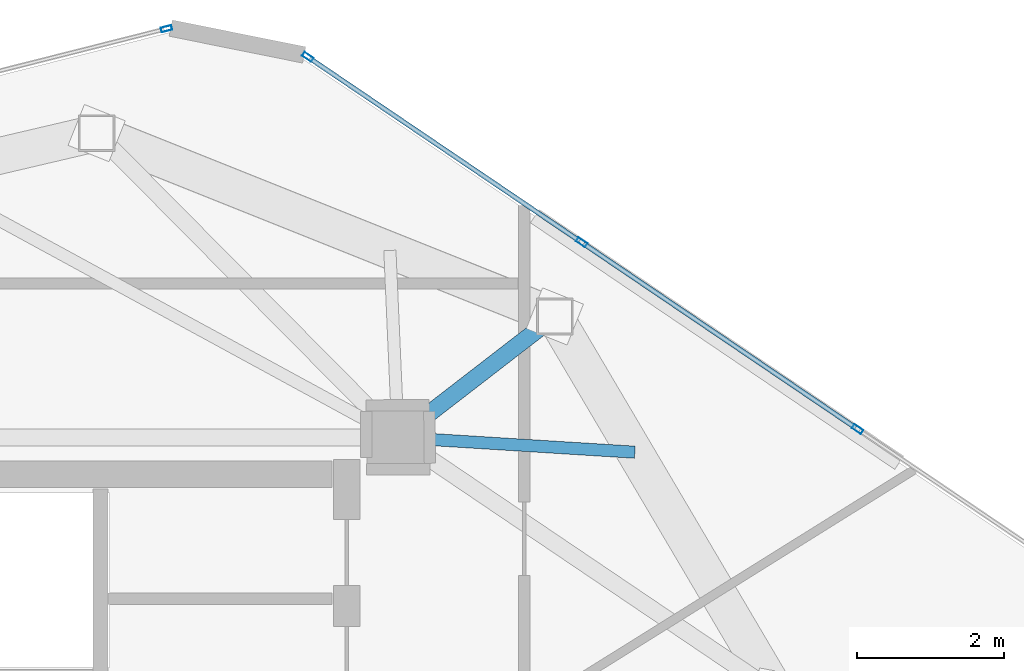
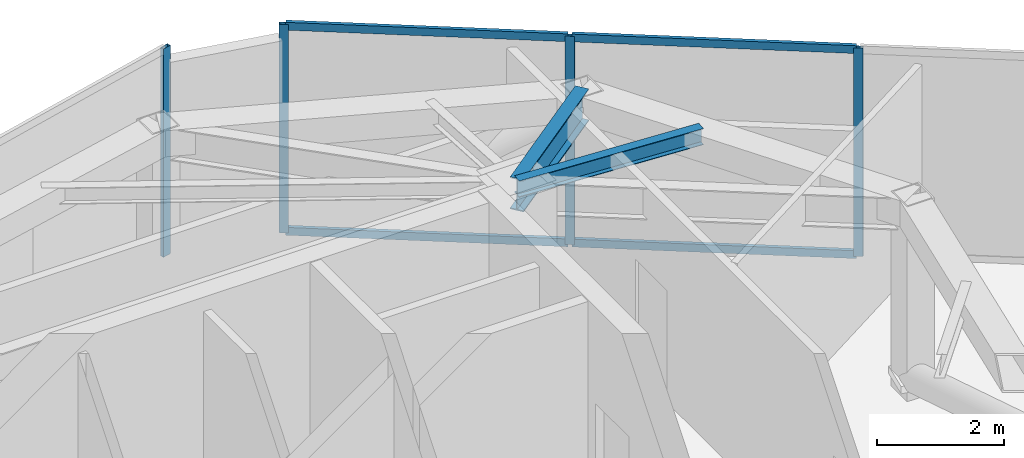
# One storey, part 15 of 21: 8 members, 2 beams, 2 elements without a shape of their own.
"""IFC4 building model written with IfcOpenShell, lengths in metres."""

from ifc_helpers import new_model, si_unit, direction, frame, origin, origin_2d, place, context, subcontext, project, spatial, hollow_rectangle, i_section, extrude, source, transform, mapped, material, layer, layer_set, material_profile, profile_set, type_object, type_shapes, element, aggregate, save


model = new_model("IFC4")

# Units and contexts
model_context = context("Model", 3, precision=1e-05, world=origin(), true_north=direction((0.0, 1.0)))
body_context = subcontext(model_context, "Body", "Model", "MODEL_VIEW")
ifc_project = project(units=[si_unit("LENGTHUNIT", "METRE"), si_unit("AREAUNIT", "SQUARE_METRE"), si_unit("VOLUMEUNIT", "CUBIC_METRE"), si_unit("PLANEANGLEUNIT", "RADIAN"), si_unit("MASSUNIT", "GRAM", prefix="KILO")], contexts=[model_context])

# Site, building, storey
site_placement = place(None, origin())
site = spatial("IfcSite", under=ifc_project, at=site_placement, CompositionType="ELEMENT")
building_placement = place(site_placement, origin())
building = spatial("IfcBuilding", under=site, at=building_placement, Name="Talar Marvaseh", CompositionType="ELEMENT")
storey_placement = place(building_placement, frame((0.0, 0.0, 300.0)))
storey = spatial("IfcBuildingStorey", under=building, at=storey_placement, Name="L80", CompositionType="ELEMENT", Elevation=300.0)

# Beams
ifc_material_1 = material(Name="Steel S355", Category="steel")
ifc_material_profile_1 = material_profile(ifc_material_1, i_section(OverallWidth=0.166015625, OverallDepth=0.31298828125, WebThickness=0.006591796875, FlangeThickness=0.01123046875, at=origin_2d()), Name="W310x45")
ifc_profile_set_1 = profile_set([ifc_material_profile_1], Name="Steel S355")
beam_type_1 = type_object("IfcBeamType", Name="Zone 3 Secondary Floor Joist W310x45", PredefinedType="JOIST", material=ifc_profile_set_1)
beam_1_placement = place(storey_placement, frame((36.52978515625, 36.69873046875, 3.58349609375), z_axis=(-0.998065766367, 0.062166920515, 0.0), x_axis=(-0.062166920515, -0.998065766367, 0.0)))
element("IfcBeam", 1, at=beam_1_placement, inside=storey, type_object=beam_type_1, Name="L80 Zone 3 Secondary Floor Joist W310x45", PredefinedType="JOIST", context=body_context, shape_type="SweptSolid", body=[
    extrude(i_section(OverallWidth=0.166015625, OverallDepth=0.31298828125, WebThickness=0.006591796875, FlangeThickness=0.01123046875, at=origin_2d()), origin(), (0.0, 0.0, 1.0), 3.236083984375),
])
ifc_material_profile_2 = material_profile(ifc_material_1, i_section(OverallWidth=0.22998046875, OverallDepth=0.616943359375, WebThickness=0.01318359375, FlangeThickness=0.022216796875, at=origin_2d()), Name="W610x140")
ifc_profile_set_2 = profile_set([ifc_material_profile_2], Name="Steel S355")
beam_type_2 = type_object("IfcBeamType", Name="Zone 4 Radial Floor Girder W610x140", PredefinedType="BEAM", material=ifc_profile_set_2)
beam_2_placement = place(storey_placement, frame((35.43798828125, 38.551025390625, 3.431396484375), z_axis=(-0.791449946636, -0.611233982996, 0.0), x_axis=(0.611233982996, -0.791449946636, 0.0)))
element("IfcBeam", 2, at=beam_2_placement, inside=storey, type_object=beam_type_2, Name="L80 Zone 4 Radial Floor Girder W610x140", PredefinedType="BEAM", context=body_context, shape_type="SweptSolid", body=[
    extrude(i_section(OverallWidth=0.22998046875, OverallDepth=0.616943359375, WebThickness=0.01318359375, FlangeThickness=0.022216796875, at=origin_2d()), origin(), (0.0, 0.0, 1.0), 2.701416015625),
])

# Curtain wall, members
ifc_material_2 = material(Name="Architectural Aluminium", Category="aluminium")
ifc_layer = layer(ifc_material_2, 0.2099609375)
ifc_layer_set = layer_set([ifc_layer], Name="Architectural Aluminium")
curtain_wall_type = type_object("IfcCurtainWallType", Name="Crown Plant Acoustic Spandrel Curtain Wall", PredefinedType="NOTDEFINED", material=ifc_layer_set)
curtain_wall_1_placement = place(storey_placement, origin())
curtain_wall_1 = element("IfcCurtainWall", 3, at=curtain_wall_1_placement, inside=storey, type_object=curtain_wall_type, Name="L80 Crown Plant Acoustic Spandrel Curtain Wall", PredefinedType="NOTDEFINED")
ifc_material_profile_3 = material_profile(ifc_material_2, hollow_rectangle(XDim=0.06494140625, YDim=0.14990234375, WallThickness=0.00390625, at=origin_2d()), Name="RHS150x65x4")
ifc_profile_set_3 = profile_set([ifc_material_profile_3], Name="Architectural Aluminium")
member_type_1 = type_object("IfcMemberType", Name="Unitised Curtain Wall Slim Transom RHS150x65x4", PredefinedType="USERDEFINED", material=ifc_profile_set_3)
shared_shape_1 = source(origin(), body_context, "Body", "SweptSolid", [
    extrude(hollow_rectangle(XDim=0.06494140625, YDim=0.14990234375, WallThickness=0.00390625, at=origin_2d()), origin(), (0.0, 0.0, 1.0), 4.479736328125),
])
member_1_placement = place(storey_placement, frame((35.8310546875, 39.54296875, 0.032470703125), z_axis=(0.828105579994, -0.56057216162, 0.0), x_axis=(0.56057216162, 0.828105579994, 0.0)))
member_1 = element("IfcMember", 4, at=member_1_placement, type_object=member_type_1, Name="CW-CRN transom 2.1", ObjectType="TRANSOM", PredefinedType="USERDEFINED", context=body_context, shape_type="MappedRepresentation", body=[
    mapped(shared_shape_1, transform((0.0, 0.0, 0.0), x_axis=(1.0, 0.0, 0.0), y_axis=(0.0, 1.0, 0.0), z_axis=(0.0, 0.0, 1.0), scale=1.0)),
])
member_2_placement = place(storey_placement, frame((35.8310546875, 39.54296875, 3.967529296875), z_axis=(0.828105579994, -0.56057216162, 0.0), x_axis=(0.56057216162, 0.828105579994, 0.0)))
member_2 = element("IfcMember", 5, at=member_2_placement, type_object=member_type_1, Name="CW-CRN transom 2.2", ObjectType="TRANSOM", PredefinedType="USERDEFINED", context=body_context, shape_type="MappedRepresentation", body=[
    mapped(shared_shape_1, transform((0.0, 0.0, 0.0), x_axis=(1.0, 0.0, 0.0), y_axis=(0.0, 1.0, 0.0), z_axis=(0.0, 0.0, 1.0), scale=1.0)),
])
shared_shape_2 = source(origin(), body_context, "Body", "SweptSolid", [
    extrude(hollow_rectangle(XDim=0.06494140625, YDim=0.14990234375, WallThickness=0.00390625, at=origin_2d()), origin(), (0.0, 0.0, 1.0), 4.447509765625),
])
type_shapes(member_type_1, [shared_shape_1, shared_shape_2])
member_3_placement = place(storey_placement, frame((32.09423828125, 42.072509765625, 0.032470703125), z_axis=(0.828093790021, -0.560589577971, 0.0), x_axis=(0.560589577971, 0.828093790021, 0.0)))
member_3 = element("IfcMember", 6, at=member_3_placement, type_object=member_type_1, Name="CW-CRN transom 1.1", ObjectType="TRANSOM", PredefinedType="USERDEFINED", context=body_context, shape_type="MappedRepresentation", body=[
    mapped(shared_shape_2, transform((0.0, 0.0, 0.0), x_axis=(1.0, 0.0, 0.0), y_axis=(0.0, 1.0, 0.0), z_axis=(0.0, 0.0, 1.0), scale=1.0)),
])
member_4_placement = place(storey_placement, frame((32.09423828125, 42.072509765625, 3.967529296875), z_axis=(0.828093790021, -0.560589577971, 0.0), x_axis=(0.560589577971, 0.828093790021, 0.0)))
member_4 = element("IfcMember", 7, at=member_4_placement, type_object=member_type_1, Name="CW-CRN transom 1.2", ObjectType="TRANSOM", PredefinedType="USERDEFINED", context=body_context, shape_type="MappedRepresentation", body=[
    mapped(shared_shape_2, transform((0.0, 0.0, 0.0), x_axis=(1.0, 0.0, 0.0), y_axis=(0.0, 1.0, 0.0), z_axis=(0.0, 0.0, 1.0), scale=1.0)),
])

# Curtain wall, member
curtain_wall_2_placement = place(storey_placement, origin())
curtain_wall_2 = element("IfcCurtainWall", 8, at=curtain_wall_2_placement, inside=storey, type_object=curtain_wall_type, Name="L80 Crown Plant Acoustic Spandrel Curtain Wall", PredefinedType="NOTDEFINED")
ifc_material_profile_4 = material_profile(ifc_material_2, hollow_rectangle(XDim=0.06494140625, YDim=0.14990234375, WallThickness=0.00390625, at=origin_2d()), Name="RHS150x65x4")
ifc_profile_set_4 = profile_set([ifc_material_profile_4], Name="Architectural Aluminium")
member_type_2 = type_object("IfcMemberType", Name="Unitised Curtain Wall Slim Mullion RHS150x65x4", PredefinedType="MULLION", material=ifc_profile_set_4)
shared_shape_3 = source(origin(), body_context, "Body", "SweptSolid", [
    extrude(hollow_rectangle(XDim=0.06494140625, YDim=0.14990234375, WallThickness=0.00390625, at=origin_2d()), origin(), (0.0, 0.0, 1.0), 4.0),
])
type_shapes(member_type_2, [shared_shape_3])
member_5_placement = place(storey_placement, frame((30.140625, 42.475830078125, 0.0), z_axis=(0.0, 0.0, 1.0), x_axis=(-0.245002284933, 0.969522501223, 0.0)))
member_5 = element("IfcMember", 9, at=member_5_placement, type_object=member_type_2, Name="CW-CRN mullion 4", PredefinedType="MULLION", context=body_context, shape_type="MappedRepresentation", body=[
    mapped(shared_shape_3, transform((0.0, 0.0, 0.0), x_axis=(1.0, 0.0, 0.0), y_axis=(0.0, 1.0, 0.0), z_axis=(0.0, 0.0, 1.0), scale=1.0)),
])
aggregate(curtain_wall_2, [member_5])

# Member
member_6_placement = place(storey_placement, frame((32.0673828125, 42.0908203125, 0.0), z_axis=(0.0, 0.0, 1.0), x_axis=(0.560582970612, 0.828098262925, 0.0)))
member_6 = element("IfcMember", 10, at=member_6_placement, type_object=member_type_2, Name="CW-CRN mullion 1", PredefinedType="MULLION", context=body_context, shape_type="MappedRepresentation", body=[
    mapped(shared_shape_3, transform((0.0, 0.0, 0.0), x_axis=(1.0, 0.0, 0.0), y_axis=(0.0, 1.0, 0.0), z_axis=(0.0, 0.0, 1.0), scale=1.0)),
])

member_7_placement = place(storey_placement, frame((35.803955078125, 39.561279296875, 0.0), z_axis=(0.0, 0.0, 1.0), x_axis=(0.560582970612, 0.828098262925, 0.0)))
member_7 = element("IfcMember", 11, at=member_7_placement, type_object=member_type_2, Name="CW-CRN mullion 2", PredefinedType="MULLION", context=body_context, shape_type="MappedRepresentation", body=[
    mapped(shared_shape_3, transform((0.0, 0.0, 0.0), x_axis=(1.0, 0.0, 0.0), y_axis=(0.0, 1.0, 0.0), z_axis=(0.0, 0.0, 1.0), scale=1.0)),
])

member_8_placement = place(storey_placement, frame((39.567626953125, 37.013427734375, 0.0), z_axis=(0.0, 0.0, 1.0), x_axis=(0.560582970612, 0.828098262925, 0.0)))
member_8 = element("IfcMember", 12, at=member_8_placement, type_object=member_type_2, Name="CW-CRN mullion 3", PredefinedType="MULLION", context=body_context, shape_type="MappedRepresentation", body=[
    mapped(shared_shape_3, transform((0.0, 0.0, 0.0), x_axis=(1.0, 0.0, 0.0), y_axis=(0.0, 1.0, 0.0), z_axis=(0.0, 0.0, 1.0), scale=1.0)),
])

aggregate(curtain_wall_1, [member_6, member_7, member_8, member_3, member_4, member_1, member_2])

save(model, "model.ifc")
